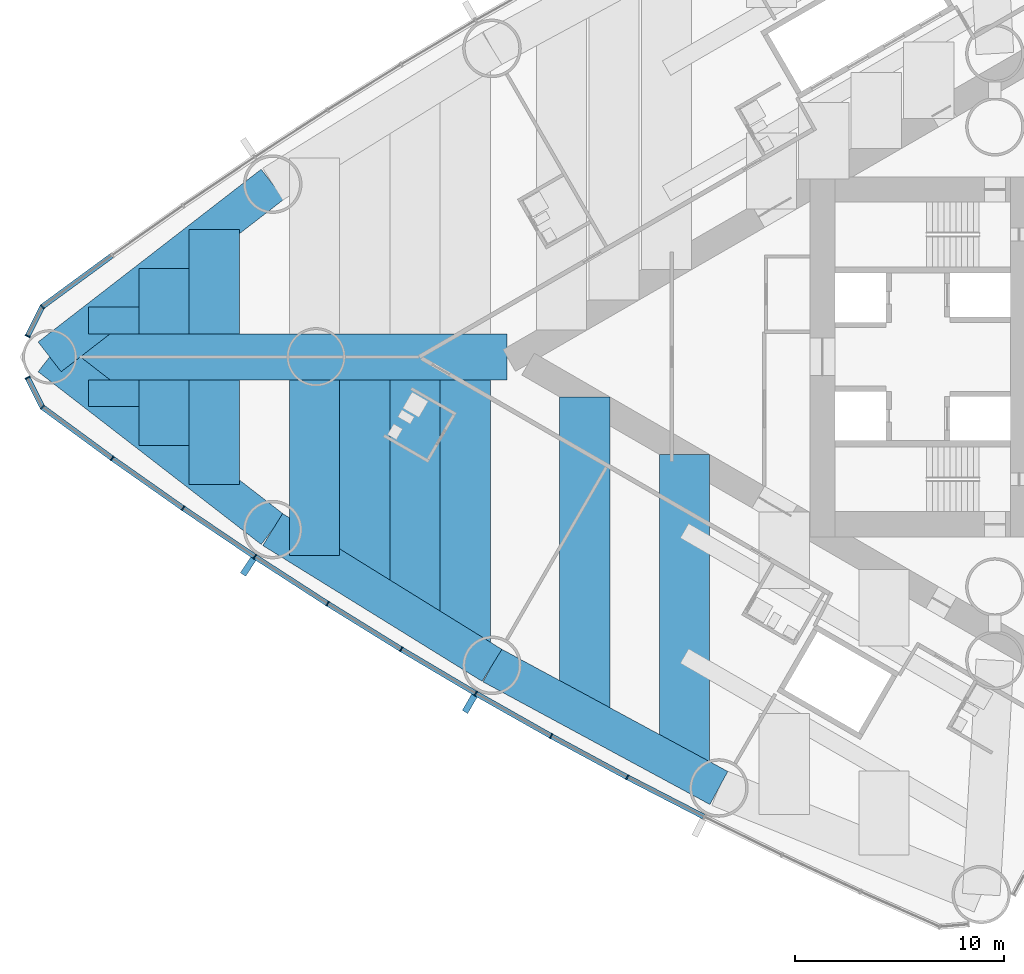
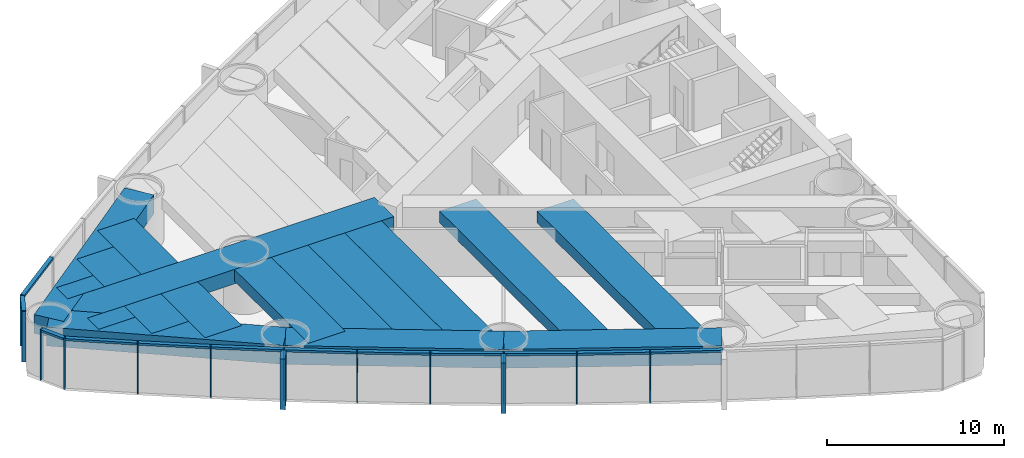
# One storey, part 2 of 19: 26 members, 17 beams, 2 elements without a shape of their own.
"""IFC4 building model written with IfcOpenShell, lengths in metres."""

from ifc_helpers import new_model, si_unit, direction, frame, origin, origin_2d, place, context, subcontext, project, spatial, rectangle, extrude, material, material_profile, profile_set, type_object, element, aggregate, save


model = new_model("IFC4")

# Units and contexts
model_context = context("Model", 3, precision=1e-05, world=origin(), true_north=direction((0.0, 1.0)))
body_context = subcontext(model_context, "Body", "Model", "MODEL_VIEW")
ifc_project = project(units=[si_unit("LENGTHUNIT", "METRE"), si_unit("AREAUNIT", "SQUARE_METRE"), si_unit("VOLUMEUNIT", "CUBIC_METRE"), si_unit("PLANEANGLEUNIT", "RADIAN"), si_unit("MASSUNIT", "GRAM", prefix="KILO")], contexts=[model_context])

# Site, building, storey
site_placement = place(None, origin())
site = spatial("IfcSite", under=ifc_project, at=site_placement, CompositionType="ELEMENT")
building_placement = place(site_placement, origin())
building = spatial("IfcBuilding", under=site, at=building_placement, Name="Lancet Gate Hotel", CompositionType="ELEMENT")
storey_placement = place(building_placement, frame((0.0, 0.0, 39.0)))
storey = spatial("IfcBuildingStorey", under=building, at=storey_placement, Name="L09", CompositionType="ELEMENT", Elevation=39.0)

# Curtain wall, members
ifc_material_1 = material(Name="Aluminium curtain wall", Category="aluminium")
curtain_wall_type = type_object("IfcCurtainWallType", Name="Tower unitised curtain wall", PredefinedType="USERDEFINED", material=ifc_material_1)
curtain_wall_1_placement = place(storey_placement, origin())
curtain_wall_1 = element("IfcCurtainWall", 1, at=curtain_wall_1_placement, inside=storey, type_object=curtain_wall_type, Name="T1 L09 curtain wall 2", ObjectType="UNITISED CURTAIN WALL", PredefinedType="USERDEFINED")
ifc_material_2 = material(Name="Aluminium mullion", Category="aluminium")
ifc_material_profile_1 = material_profile(ifc_material_2, rectangle(XDim=0.06494140625, YDim=0.25, at=origin_2d()), Name="MULLION 65x250")
ifc_profile_set_1 = profile_set([ifc_material_profile_1], Name="Aluminium mullion")
member_type_1 = type_object("IfcMemberType", Name="Aluminium mullion 65x250", PredefinedType="MULLION", material=ifc_profile_set_1)
member_1_placement = place(storey_placement, frame((-74.5830078125, 2.401611328125, 0.0), z_axis=(0.0, 0.0, 1.0), x_axis=(-0.723695580132, -0.690119342793, 0.0)))
member_1 = element("IfcMember", 2, at=member_1_placement, type_object=member_type_1, Name="T1 L09 curtain wall 2 mullion 14", PredefinedType="MULLION", context=body_context, shape_type="SweptSolid", body=[
    extrude(rectangle(XDim=0.06494140625, YDim=0.25, at=origin_2d()), origin(), (0.0, 0.0, 1.0), 3.5),
])
member_2_placement = place(storey_placement, frame((-75.287109375, 0.994873046875, 0.0), z_axis=(0.0, 0.0, 1.0), x_axis=(-0.447628324726, -0.89421970617, 0.0)))
member_2 = element("IfcMember", 3, at=member_2_placement, type_object=member_type_1, Name="T1 L09 curtain wall 2 mullion 15", PredefinedType="MULLION", context=body_context, shape_type="SweptSolid", body=[
    extrude(rectangle(XDim=0.06494140625, YDim=0.25, at=origin_2d()), origin(), (0.0, 0.0, 1.0), 3.5),
])

curtain_wall_2_placement = place(storey_placement, origin())
curtain_wall_2 = element("IfcCurtainWall", 4, at=curtain_wall_2_placement, inside=storey, type_object=curtain_wall_type, Name="T1 L09 curtain wall 3", ObjectType="UNITISED CURTAIN WALL", PredefinedType="USERDEFINED")
member_3_placement = place(storey_placement, frame((-75.287109375, -0.994873046875, 0.0), z_axis=(0.0, 0.0, 1.0), x_axis=(0.447628324726, -0.89421970617, 0.0)))
member_3 = element("IfcMember", 5, at=member_3_placement, type_object=member_type_1, Name="T1 L09 curtain wall 3 mullion 1", PredefinedType="MULLION", context=body_context, shape_type="SweptSolid", body=[
    extrude(rectangle(XDim=0.06494140625, YDim=0.25, at=origin_2d()), origin(), (0.0, 0.0, 1.0), 3.5),
])
member_4_placement = place(storey_placement, frame((-74.5830078125, -2.401611328125, 0.0), z_axis=(0.0, 0.0, 1.0), x_axis=(0.723695580132, -0.690119342793, 0.0)))
member_4 = element("IfcMember", 6, at=member_4_placement, type_object=member_type_1, Name="T1 L09 curtain wall 3 mullion 2", PredefinedType="MULLION", context=body_context, shape_type="SweptSolid", body=[
    extrude(rectangle(XDim=0.06494140625, YDim=0.25, at=origin_2d()), origin(), (0.0, 0.0, 1.0), 3.5),
])
member_5_placement = place(storey_placement, frame((-71.244384765625, -4.85009765625, 0.0), z_axis=(0.0, 0.0, 1.0), x_axis=(0.812146623168, -0.583453393578, 0.0)))
member_5 = element("IfcMember", 7, at=member_5_placement, type_object=member_type_1, Name="T1 L09 curtain wall 3 mullion 3", PredefinedType="MULLION", context=body_context, shape_type="SweptSolid", body=[
    extrude(rectangle(XDim=0.06494140625, YDim=0.25, at=origin_2d()), origin(), (0.0, 0.0, 1.0), 3.5),
])
member_6_placement = place(storey_placement, frame((-67.858154296875, -7.232666015625, 0.0), z_axis=(0.0, 0.0, 1.0), x_axis=(0.823425148573, -0.56742490666, 0.0)))
member_6 = element("IfcMember", 8, at=member_6_placement, type_object=member_type_1, Name="T1 L09 curtain wall 3 mullion 4", PredefinedType="MULLION", context=body_context, shape_type="SweptSolid", body=[
    extrude(rectangle(XDim=0.06494140625, YDim=0.25, at=origin_2d()), origin(), (0.0, 0.0, 1.0), 3.5),
])
member_7_placement = place(storey_placement, frame((-64.42626953125, -9.548583984375, 0.0), z_axis=(0.0, 0.0, 1.0), x_axis=(0.834387381945, -0.55117846189, 0.0)))
member_7 = element("IfcMember", 9, at=member_7_placement, type_object=member_type_1, Name="T1 L09 curtain wall 3 mullion 5", PredefinedType="MULLION", context=body_context, shape_type="SweptSolid", body=[
    extrude(rectangle(XDim=0.06494140625, YDim=0.25, at=origin_2d()), origin(), (0.0, 0.0, 1.0), 3.5),
])
member_8_placement = place(storey_placement, frame((-60.949462890625, -11.796630859375, 0.0), z_axis=(0.0, 0.0, 1.0), x_axis=(0.845029112489, -0.534720299827, 0.0)))
member_8 = element("IfcMember", 10, at=member_8_placement, type_object=member_type_1, Name="T1 L09 curtain wall 3 mullion 6", PredefinedType="MULLION", context=body_context, shape_type="SweptSolid", body=[
    extrude(rectangle(XDim=0.06494140625, YDim=0.25, at=origin_2d()), origin(), (0.0, 0.0, 1.0), 3.5),
])
member_9_placement = place(storey_placement, frame((-57.42919921875, -13.97607421875, 0.0), z_axis=(0.0, 0.0, 1.0), x_axis=(0.855346252548, -0.518056742309, 0.0)))
member_9 = element("IfcMember", 11, at=member_9_placement, type_object=member_type_1, Name="T1 L09 curtain wall 3 mullion 7", PredefinedType="MULLION", context=body_context, shape_type="SweptSolid", body=[
    extrude(rectangle(XDim=0.06494140625, YDim=0.25, at=origin_2d()), origin(), (0.0, 0.0, 1.0), 3.5),
])
member_10_placement = place(storey_placement, frame((-53.866943359375, -16.086181640625, 0.0), z_axis=(0.0, 0.0, 1.0), x_axis=(0.86533483912, -0.501194190115, 0.0)))
member_10 = element("IfcMember", 12, at=member_10_placement, type_object=member_type_1, Name="T1 L09 curtain wall 3 mullion 8", PredefinedType="MULLION", context=body_context, shape_type="SweptSolid", body=[
    extrude(rectangle(XDim=0.06494140625, YDim=0.25, at=origin_2d()), origin(), (0.0, 0.0, 1.0), 3.5),
])
member_11_placement = place(storey_placement, frame((-50.26416015625, -18.1259765625, 0.0), z_axis=(0.0, 0.0, 1.0), x_axis=(0.874991035403, -0.484139120464, 0.0)))
member_11 = element("IfcMember", 13, at=member_11_placement, type_object=member_type_1, Name="T1 L09 curtain wall 3 mullion 9", PredefinedType="MULLION", context=body_context, shape_type="SweptSolid", body=[
    extrude(rectangle(XDim=0.06494140625, YDim=0.25, at=origin_2d()), origin(), (0.0, 0.0, 1.0), 3.5),
])
member_12_placement = place(storey_placement, frame((-46.6220703125, -20.094970703125, 0.0), z_axis=(0.0, 0.0, 1.0), x_axis=(0.884311132302, -0.466898084475, 0.0)))
member_12 = element("IfcMember", 14, at=member_12_placement, type_object=member_type_1, Name="T1 L09 curtain wall 3 mullion 10", PredefinedType="MULLION", context=body_context, shape_type="SweptSolid", body=[
    extrude(rectangle(XDim=0.06494140625, YDim=0.25, at=origin_2d()), origin(), (0.0, 0.0, 1.0), 3.5),
])

# Member
ifc_material_3 = material(Name="Aluminium transom", Category="aluminium")
ifc_material_profile_2 = material_profile(ifc_material_3, rectangle(XDim=0.25, YDim=0.14990234375, at=origin_2d()), Name="TRANSOM 250x150")
ifc_profile_set_2 = profile_set([ifc_material_profile_2], Name="Aluminium transom")
member_type_2 = type_object("IfcMemberType", Name="Aluminium transom 250x150", PredefinedType="USERDEFINED", material=ifc_profile_set_2)
member_13_placement = place(storey_placement, frame((-71.2705078125, 4.8310546875, 3.425048828125), z_axis=(-0.806366902144, -0.59141560609, 0.0), x_axis=(0.59141560609, -0.806366902144, 0.0)))
member_13 = element("IfcMember", 15, at=member_13_placement, type_object=member_type_2, Name="T1 L09 curtain wall 2 transom 13", ObjectType="TRANSOM", PredefinedType="USERDEFINED", context=body_context, shape_type="SweptSolid", body=[
    extrude(rectangle(XDim=0.25, YDim=0.14990234375, at=origin_2d()), origin(), (0.0, 0.0, 1.0), 4.0751953125),
])

member_14_placement = place(storey_placement, frame((-74.597412109375, 2.37255859375, 3.425048828125), z_axis=(-0.447731503446, -0.894168049542, 0.0), x_axis=(0.894168049542, -0.447731503446, 0.0)))
member_14 = element("IfcMember", 16, at=member_14_placement, type_object=member_type_2, Name="T1 L09 curtain wall 2 transom 14", ObjectType="TRANSOM", PredefinedType="USERDEFINED", context=body_context, shape_type="SweptSolid", body=[
    extrude(rectangle(XDim=0.25, YDim=0.14990234375, at=origin_2d()), origin(), (0.0, 0.0, 1.0), 1.50830078125),
])

aggregate(curtain_wall_1, [member_1, member_2, member_13, member_14])

member_15_placement = place(storey_placement, frame((-75.272705078125, -1.02392578125, 3.425048828125), z_axis=(0.447731503446, -0.894168049542, 0.0), x_axis=(0.894168049542, 0.447731503446, 0.0)))
member_15 = element("IfcMember", 17, at=member_15_placement, type_object=member_type_2, Name="T1 L09 curtain wall 3 transom 1", ObjectType="TRANSOM", PredefinedType="USERDEFINED", context=body_context, shape_type="SweptSolid", body=[
    extrude(rectangle(XDim=0.25, YDim=0.14990234375, at=origin_2d()), origin(), (0.0, 0.0, 1.0), 1.50830078125),
])

member_16_placement = place(storey_placement, frame((-74.556640625, -2.4208984375, 3.425048828125), z_axis=(0.806366902144, -0.59141560609, 0.0), x_axis=(0.59141560609, 0.806366902144, 0.0)))
member_16 = element("IfcMember", 18, at=member_16_placement, type_object=member_type_2, Name="T1 L09 curtain wall 3 transom 2", ObjectType="TRANSOM", PredefinedType="USERDEFINED", context=body_context, shape_type="SweptSolid", body=[
    extrude(rectangle(XDim=0.25, YDim=0.14990234375, at=origin_2d()), origin(), (0.0, 0.0, 1.0), 4.0751953125),
])

member_17_placement = place(storey_placement, frame((-71.2177734375, -4.868896484375, 3.425048828125), z_axis=(0.817833568345, -0.57545482402, 0.0), x_axis=(0.57545482402, 0.817833568345, 0.0)))
member_17 = element("IfcMember", 19, at=member_17_placement, type_object=member_type_2, Name="T1 L09 curtain wall 3 transom 3", ObjectType="TRANSOM", PredefinedType="USERDEFINED", context=body_context, shape_type="SweptSolid", body=[
    extrude(rectangle(XDim=0.25, YDim=0.14990234375, at=origin_2d()), origin(), (0.0, 0.0, 1.0), 4.075439453125),
])

member_18_placement = place(storey_placement, frame((-67.831298828125, -7.2509765625, 3.425048828125), z_axis=(0.828959086782, -0.559309245804, 0.0), x_axis=(0.559309245804, 0.828959086782, 0.0)))
member_18 = element("IfcMember", 20, at=member_18_placement, type_object=member_type_2, Name="T1 L09 curtain wall 3 transom 4", ObjectType="TRANSOM", PredefinedType="USERDEFINED", context=body_context, shape_type="SweptSolid", body=[
    extrude(rectangle(XDim=0.25, YDim=0.14990234375, at=origin_2d()), origin(), (0.0, 0.0, 1.0), 4.0751953125),
])

member_19_placement = place(storey_placement, frame((-64.39892578125, -9.566162109375, 3.425048828125), z_axis=(0.839729242404, -0.543005340169, 0.0), x_axis=(0.543005340169, 0.839729242404, 0.0)))
member_19 = element("IfcMember", 21, at=member_19_placement, type_object=member_type_2, Name="T1 L09 curtain wall 3 transom 5", ObjectType="TRANSOM", PredefinedType="USERDEFINED", context=body_context, shape_type="SweptSolid", body=[
    extrude(rectangle(XDim=0.25, YDim=0.14990234375, at=origin_2d()), origin(), (0.0, 0.0, 1.0), 4.0751953125),
])

member_20_placement = place(storey_placement, frame((-60.921875, -11.813720703125, 3.425048828125), z_axis=(0.850242165643, -0.526391736032, 0.0), x_axis=(0.526391736032, 0.850242165643, 0.0)))
member_20 = element("IfcMember", 22, at=member_20_placement, type_object=member_type_2, Name="T1 L09 curtain wall 3 transom 6", ObjectType="TRANSOM", PredefinedType="USERDEFINED", context=body_context, shape_type="SweptSolid", body=[
    extrude(rectangle(XDim=0.25, YDim=0.14990234375, at=origin_2d()), origin(), (0.0, 0.0, 1.0), 4.075439453125),
])

member_21_placement = place(storey_placement, frame((-57.4013671875, -13.99267578125, 3.425048828125), z_axis=(0.86039174806, -0.509633240547, 0.0), x_axis=(0.509633240547, 0.86039174806, 0.0)))
member_21 = element("IfcMember", 23, at=member_21_placement, type_object=member_type_2, Name="T1 L09 curtain wall 3 transom 7", ObjectType="TRANSOM", PredefinedType="USERDEFINED", context=body_context, shape_type="SweptSolid", body=[
    extrude(rectangle(XDim=0.25, YDim=0.14990234375, at=origin_2d()), origin(), (0.0, 0.0, 1.0), 4.0751953125),
])

member_22_placement = place(storey_placement, frame((-53.838623046875, -16.102294921875, 3.425048828125), z_axis=(0.870197729943, -0.492702659625, 0.0), x_axis=(0.492702659625, 0.870197729943, 0.0)))
member_22 = element("IfcMember", 24, at=member_22_placement, type_object=member_type_2, Name="T1 L09 curtain wall 3 transom 8", ObjectType="TRANSOM", PredefinedType="USERDEFINED", context=body_context, shape_type="SweptSolid", body=[
    extrude(rectangle(XDim=0.25, YDim=0.14990234375, at=origin_2d()), origin(), (0.0, 0.0, 1.0), 4.0751953125),
])

member_23_placement = place(storey_placement, frame((-50.235595703125, -18.1416015625, 3.425048828125), z_axis=(0.87971396408, -0.475503250675, 0.0), x_axis=(0.475503250675, 0.87971396408, 0.0)))
member_23 = element("IfcMember", 25, at=member_23_placement, type_object=member_type_2, Name="T1 L09 curtain wall 3 transom 9", ObjectType="TRANSOM", PredefinedType="USERDEFINED", context=body_context, shape_type="SweptSolid", body=[
    extrude(rectangle(XDim=0.25, YDim=0.14990234375, at=origin_2d()), origin(), (0.0, 0.0, 1.0), 4.0751953125),
])

member_24_placement = place(storey_placement, frame((-46.593017578125, -20.10986328125, 3.425048828125), z_axis=(0.888859972399, -0.458178949175, 0.0), x_axis=(0.458178949175, 0.888859972399, 0.0)))
member_24 = element("IfcMember", 26, at=member_24_placement, type_object=member_type_2, Name="T1 L09 curtain wall 3 transom 10", ObjectType="TRANSOM", PredefinedType="USERDEFINED", context=body_context, shape_type="SweptSolid", body=[
    extrude(rectangle(XDim=0.25, YDim=0.14990234375, at=origin_2d()), origin(), (0.0, 0.0, 1.0), 4.0751953125),
])

# Beams
ifc_material_4 = material(Name="Concrete C50/60", Category="concrete")
ifc_material_profile_3 = material_profile(ifc_material_4, rectangle(XDim=1.800048828125, YDim=1.300048828125, at=origin_2d()), Name="RC 1800x1300")
ifc_profile_set_3 = profile_set([ifc_material_profile_3], Name="Concrete C50/60")
beam_type_1 = type_object("IfcBeamType", Name="Edge beam RC 1800x1300", PredefinedType="SPANDREL", material=ifc_profile_set_3)
for number, where, z_axis, x_axis, name in (
    (27, (-63.57177734375, 8.255126953125, 2.60009765625), (-0.790736428665, -0.612156761281, 0.0), (0.612156761281, -0.790736428665, 0.0), "T1 edge beam EB1 L09"),
    (28, (-74.235107421875, 0.0, 2.60009765625), (0.790736428665, -0.612156761281, 0.0), (0.612156761281, 0.790736428665, 0.0), "T1 edge beam EB1 L09"),
):
    element("IfcBeam", number, at=place(storey_placement, frame(where, z_axis=z_axis, x_axis=x_axis)), inside=storey, type_object=beam_type_1, Name=name, PredefinedType="SPANDREL", context=body_context, shape_type="SweptSolid", body=[
        extrude(rectangle(XDim=1.800048828125, YDim=1.300048828125, at=origin_2d()), origin(), (0.0, 0.0, 1.0), 13.4853515625),
    ])
for number, where, z_axis, x_axis, name in (
    (29, (-63.57177734375, -8.255126953125, 2.60009765625), (0.850225894333, -0.526418016984, 0.0), (0.526418016984, 0.850225894333, 0.0), "T1 edge beam EB1 L09"),
    (30, (-53.090087890625, -14.744873046875, 2.60009765625), (0.879692855603, -0.475542300749, 0.0), (0.475542300749, 0.879692855603, 0.0), "T1 edge beam EB1 L09"),
):
    element("IfcBeam", number, at=place(storey_placement, frame(where, z_axis=z_axis, x_axis=x_axis)), inside=storey, type_object=beam_type_1, Name=name, PredefinedType="SPANDREL", context=body_context, shape_type="SweptSolid", body=[
        extrude(rectangle(XDim=1.800048828125, YDim=1.300048828125, at=origin_2d()), origin(), (0.0, 0.0, 1.0), 12.328125),
    ])

# Member
ifc_material_5 = material(Name="Precast concrete C50/60", Category="concrete")
ifc_material_profile_4 = material_profile(ifc_material_5, rectangle(XDim=0.300048828125, YDim=0.89990234375, at=origin_2d()), Name="FIN 300x900")
ifc_profile_set_4 = profile_set([ifc_material_profile_4], Name="Precast concrete C50/60")
member_type_3 = type_object("IfcMemberType", Name="Exposed concrete fin 300x900", PredefinedType="USERDEFINED", material=ifc_profile_set_4)
member_25_placement = place(storey_placement, frame((-64.7431640625, -10.0283203125, 0.0), z_axis=(0.0, 0.0, 1.0), x_axis=(0.834387381945, -0.55117846189, 0.0)))
member_25 = element("IfcMember", 31, at=member_25_placement, type_object=member_type_3, Name="T1 L09 curtain wall 3 fin 5", ObjectType="FIN", PredefinedType="USERDEFINED", context=body_context, shape_type="SweptSolid", body=[
    extrude(rectangle(XDim=0.300048828125, YDim=0.89990234375, at=origin_2d()), origin(), (0.0, 0.0, 1.0), 3.5),
])

member_26_placement = place(storey_placement, frame((-54.1552734375, -16.583740234375, 0.0), z_axis=(0.0, 0.0, 1.0), x_axis=(0.86533483912, -0.501194190115, 0.0)))
member_26 = element("IfcMember", 32, at=member_26_placement, type_object=member_type_3, Name="T1 L09 curtain wall 3 fin 8", ObjectType="FIN", PredefinedType="USERDEFINED", context=body_context, shape_type="SweptSolid", body=[
    extrude(rectangle(XDim=0.300048828125, YDim=0.89990234375, at=origin_2d()), origin(), (0.0, 0.0, 1.0), 3.5),
])

aggregate(curtain_wall_2, [member_3, member_4, member_5, member_6, member_7, member_25, member_8, member_9, member_10, member_26, member_11, member_12, member_15, member_16, member_17, member_18, member_19, member_20, member_21, member_22, member_23, member_24])

# Beams
ifc_material_6 = material(Name="Concrete C50/60", Category="concrete")
ifc_material_profile_5 = material_profile(ifc_material_6, rectangle(XDim=2.39990234375, YDim=0.800048828125, at=origin_2d()), Name="RC 2400x800")
ifc_profile_set_5 = profile_set([ifc_material_profile_5], Name="Concrete C50/60")
beam_type_2 = type_object("IfcBeamType", Name="Floor beam RC 2400x800", PredefinedType="BEAM", material=ifc_profile_set_5)
beam_1_placement = place(storey_placement, frame((-43.891357421875, -4.663330078125, 2.85009765625), z_axis=(0.0, -1.0, 0.0), x_axis=(1.0, 0.0, 0.0)))
element("IfcBeam", 33, at=beam_1_placement, inside=storey, type_object=beam_type_2, Name="T1 floor beam F08N L09", PredefinedType="BEAM", context=body_context, shape_type="SweptSolid", body=[
    extrude(rectangle(XDim=2.39990234375, YDim=0.800048828125, at=origin_2d()), origin(), (0.0, 0.0, 1.0), 15.05419921875),
])
beam_2_placement = place(storey_placement, frame((-48.66015625, -1.909912109375, 2.85009765625), z_axis=(0.0, -1.0, 0.0), x_axis=(1.0, 0.0, 0.0)))
element("IfcBeam", 34, at=beam_2_placement, inside=storey, type_object=beam_type_2, Name="T1 floor beam F11N L09", PredefinedType="BEAM", context=body_context, shape_type="SweptSolid", body=[
    extrude(rectangle(XDim=2.39990234375, YDim=0.800048828125, at=origin_2d()), origin(), (0.0, 0.0, 1.0), 15.229736328125),
])
beam_3_placement = place(storey_placement, frame((-54.3681640625, -1.10009765625, 2.85009765625), z_axis=(0.0, -1.0, 0.0), x_axis=(1.0, 0.0, 0.0)))
element("IfcBeam", 35, at=beam_3_placement, inside=storey, type_object=beam_type_2, Name="T1 floor beam F14N L09", PredefinedType="BEAM", context=body_context, shape_type="SweptSolid", body=[
    extrude(rectangle(XDim=2.39990234375, YDim=0.800048828125, at=origin_2d()), origin(), (0.0, 0.0, 1.0), 12.853515625),
])
beam_4_placement = place(storey_placement, frame((-56.768310546875, -1.10009765625, 2.85009765625), z_axis=(0.0, -1.0, 0.0), x_axis=(1.0, 0.0, 0.0)))
element("IfcBeam", 36, at=beam_4_placement, inside=storey, type_object=beam_type_2, Name="T1 floor beam F16N L09", PredefinedType="BEAM", context=body_context, shape_type="SweptSolid", body=[
    extrude(rectangle(XDim=2.39990234375, YDim=0.800048828125, at=origin_2d()), origin(), (0.0, 0.0, 1.0), 11.367431640625),
])
beam_5_placement = place(storey_placement, frame((-59.168212890625, -1.10009765625, 2.85009765625), z_axis=(0.0, -1.0, 0.0), x_axis=(1.0, 0.0, 0.0)))
element("IfcBeam", 37, at=beam_5_placement, inside=storey, type_object=beam_type_2, Name="T1 floor beam F18N L09", PredefinedType="BEAM", context=body_context, shape_type="SweptSolid", body=[
    extrude(rectangle(XDim=2.39990234375, YDim=0.800048828125, at=origin_2d()), origin(), (0.0, 0.0, 1.0), 9.881591796875),
])
beam_6_placement = place(storey_placement, frame((-61.568359375, -1.10009765625, 2.85009765625), z_axis=(0.0, -1.0, 0.0), x_axis=(1.0, 0.0, 0.0)))
element("IfcBeam", 38, at=beam_6_placement, inside=storey, type_object=beam_type_2, Name="T1 floor beam F20N L09", PredefinedType="BEAM", context=body_context, shape_type="SweptSolid", body=[
    extrude(rectangle(XDim=2.39990234375, YDim=0.800048828125, at=origin_2d()), origin(), (0.0, 0.0, 1.0), 8.395751953125),
])
for number, where, z_axis, x_axis, name in (
    (39, (-66.3681640625, 6.09033203125, 2.85009765625), (0.0, -1.0, 0.0), (1.0, 0.0, 0.0), "T1 floor beam F21S L09"),
    (40, (-66.3681640625, -1.10009765625, 2.85009765625), (0.0, -1.0, 0.0), (1.0, 0.0, 0.0), "T1 floor beam F22N L09"),
):
    element("IfcBeam", number, at=place(storey_placement, frame(where, z_axis=z_axis, x_axis=x_axis)), inside=storey, type_object=beam_type_2, Name=name, PredefinedType="BEAM", context=body_context, shape_type="SweptSolid", body=[
        extrude(rectangle(XDim=2.39990234375, YDim=0.800048828125, at=origin_2d()), origin(), (0.0, 0.0, 1.0), 4.990234375),
    ])
for number, where, z_axis, x_axis, name in (
    (41, (-68.768310546875, 4.232421875, 2.85009765625), (0.0, -1.0, 0.0), (1.0, 0.0, 0.0), "T1 floor beam F23S L09"),
    (42, (-68.768310546875, -1.10009765625, 2.85009765625), (0.0, -1.0, 0.0), (1.0, 0.0, 0.0), "T1 floor beam F24N L09"),
):
    element("IfcBeam", number, at=place(storey_placement, frame(where, z_axis=z_axis, x_axis=x_axis)), inside=storey, type_object=beam_type_2, Name=name, PredefinedType="BEAM", context=body_context, shape_type="SweptSolid", body=[
        extrude(rectangle(XDim=2.39990234375, YDim=0.800048828125, at=origin_2d()), origin(), (0.0, 0.0, 1.0), 3.13232421875),
    ])
for number, where, z_axis, x_axis, name in (
    (43, (-71.168212890625, 2.374267578125, 2.85009765625), (0.0, -1.0, 0.0), (1.0, 0.0, 0.0), "T1 floor beam F25S L09"),
    (44, (-71.168212890625, -1.10009765625, 2.85009765625), (0.0, -1.0, 0.0), (1.0, 0.0, 0.0), "T1 floor beam F26N L09"),
):
    element("IfcBeam", number, at=place(storey_placement, frame(where, z_axis=z_axis, x_axis=x_axis)), inside=storey, type_object=beam_type_2, Name=name, PredefinedType="BEAM", context=body_context, shape_type="SweptSolid", body=[
        extrude(rectangle(XDim=2.39990234375, YDim=0.800048828125, at=origin_2d()), origin(), (0.0, 0.0, 1.0), 1.274169921875),
    ])
ifc_material_7 = material(Name="Concrete C50/60", Category="concrete")
ifc_material_profile_6 = material_profile(ifc_material_7, rectangle(XDim=2.199951171875, YDim=1.0, at=origin_2d()), Name="RC 2200x1000")
ifc_profile_set_6 = profile_set([ifc_material_profile_6], Name="Concrete C50/60")
beam_type_3 = type_object("IfcBeamType", Name="Radial floor beam RC 2200x1000", PredefinedType="BEAM", material=ifc_profile_set_6)
beam_7_placement = place(storey_placement, frame((-74.235107421875, 0.0, 2.75), z_axis=(1.0, 0.0, 0.0), x_axis=(0.0, 1.0, 0.0)))
element("IfcBeam", 45, at=beam_7_placement, inside=storey, type_object=beam_type_3, Name="T1 radial beam CA L09", PredefinedType="BEAM", context=body_context, shape_type="SweptSolid", body=[
    extrude(rectangle(XDim=2.199951171875, YDim=1.0, at=origin_2d()), origin(), (0.0, 0.0, 1.0), 21.866943359375),
])

save(model, "model.ifc")
